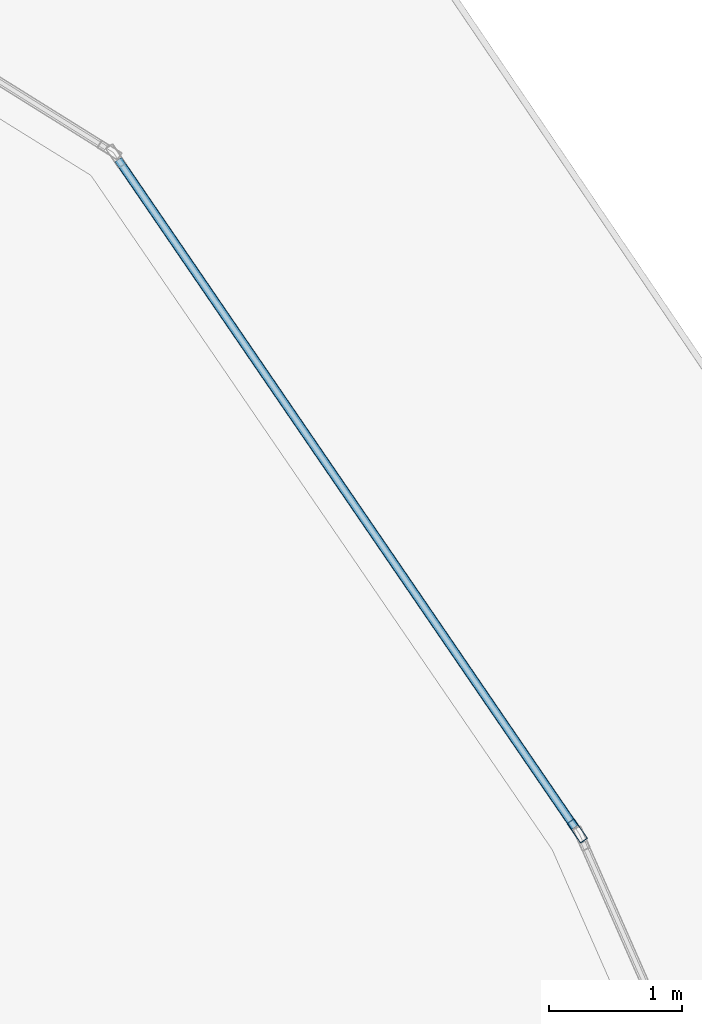
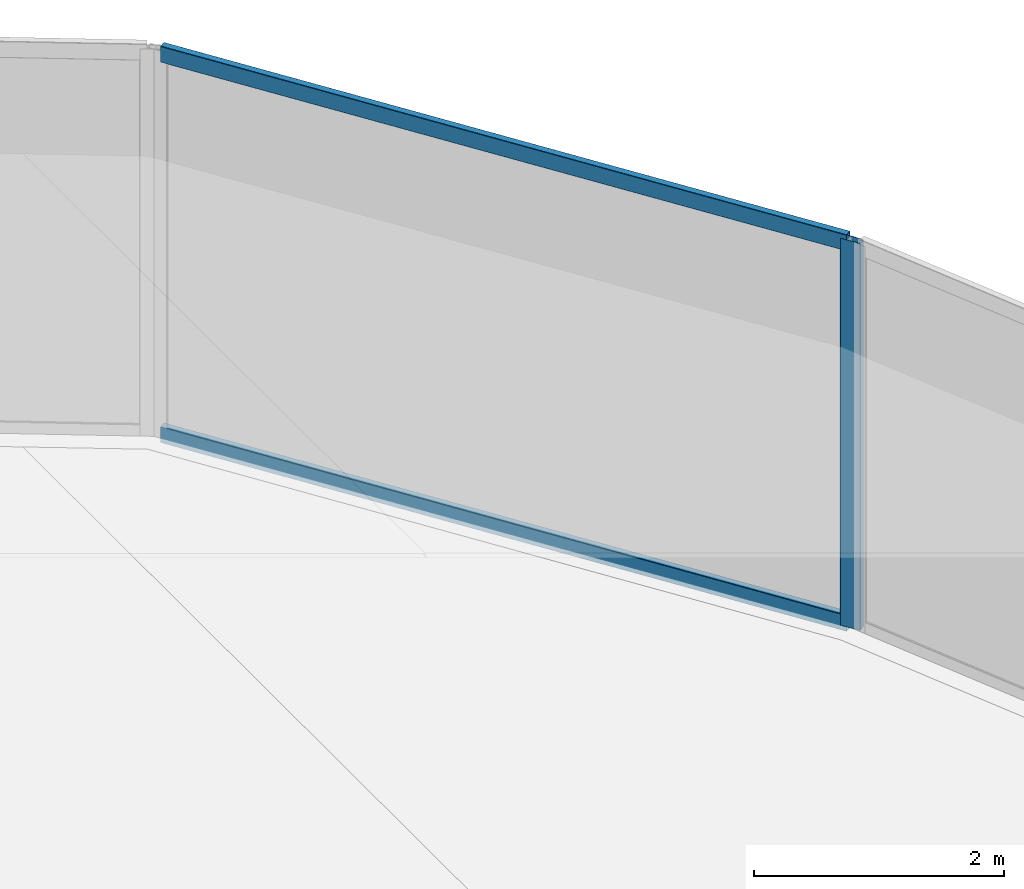
# One storey, part 21 of 36: 3 members, 1 element without a shape of its own.
"""IFC4 building model written with IfcOpenShell, lengths in metres."""

from ifc_helpers import new_model, si_unit, direction, frame, origin, origin_2d, place, context, subcontext, project, spatial, hollow_rectangle, extrude, material, layer, layer_set, material_profile, profile_set, type_object, element, aggregate, save


model = new_model("IFC4")

# Units and contexts
model_context = context("Model", 3, precision=1e-05, world=origin(), true_north=direction((0.0, 1.0)))
body_context = subcontext(model_context, "Body", "Model", "MODEL_VIEW")
ifc_project = project(units=[si_unit("LENGTHUNIT", "METRE"), si_unit("AREAUNIT", "SQUARE_METRE"), si_unit("VOLUMEUNIT", "CUBIC_METRE"), si_unit("PLANEANGLEUNIT", "RADIAN"), si_unit("MASSUNIT", "GRAM", prefix="KILO")], contexts=[model_context])

# Site, building, storey
site_placement = place(None, origin())
site = spatial("IfcSite", under=ifc_project, at=site_placement, CompositionType="ELEMENT")
building_placement = place(site_placement, origin())
building = spatial("IfcBuilding", under=site, at=building_placement, Name="Qorvath Tower", CompositionType="ELEMENT")
storey_placement = place(building_placement, frame((0.0, 0.0, 205.050048828125)))
storey = spatial("IfcBuildingStorey", under=building, at=storey_placement, Name="L47", CompositionType="ELEMENT", Elevation=205.050048828125)

# Curtain wall, members
ifc_material_1 = material(Name="Anodised aluminium and triple low-E glass", Category="aluminium")
ifc_layer = layer(ifc_material_1, 0.179931640625)
ifc_layer_set = layer_set([ifc_layer], Name="CW-SYS-3")
curtain_wall_type = type_object("IfcCurtainWallType", Name="CW-SYS-3", PredefinedType="NOTDEFINED", material=ifc_layer_set)
curtain_wall_placement = place(storey_placement, origin())
curtain_wall = element("IfcCurtainWall", 1, at=curtain_wall_placement, inside=storey, type_object=curtain_wall_type, Name="Curtain Wall CW-3 CW-T-L47-13.1", PredefinedType="NOTDEFINED")
ifc_material_2 = material(Name="Anodised aluminium 6063-T6", Category="aluminium")
ifc_material_profile_1 = material_profile(ifc_material_2, hollow_rectangle(XDim=0.06494140625, YDim=0.179931640625, WallThickness=0.00341796875, InnerFilletRadius=0.00341796875, OuterFilletRadius=0.007080078125, at=origin_2d()), Name="CWM 180x65")
ifc_profile_set_1 = profile_set([ifc_material_profile_1], Name="Anodised aluminium 6063-T6")
member_type_1 = type_object("IfcMemberType", Name="CWM-180", PredefinedType="MULLION", material=ifc_profile_set_1)
member_1_placement = place(storey_placement, frame((-2.240966796875, 16.29052734375, 0.0), z_axis=(0.0, 0.0, 1.0), x_axis=(-0.825424850974, -0.56451201528, 0.0)))
member_1 = element("IfcMember", 2, at=member_1_placement, type_object=member_type_1, Name="CW-3 mullion 1", PredefinedType="MULLION", context=body_context, shape_type="SweptSolid", body=[
    extrude(hollow_rectangle(XDim=0.06494140625, YDim=0.179931640625, WallThickness=0.00341796875, InnerFilletRadius=0.00341796875, OuterFilletRadius=0.007080078125, at=origin_2d()), origin(), (0.0, 0.0, 1.0), 3.780029296875),
])
ifc_material_3 = material(Name="Anodised aluminium 6063-T6", Category="aluminium")
ifc_material_profile_2 = material_profile(ifc_material_3, hollow_rectangle(XDim=0.06494140625, YDim=0.159912109375, WallThickness=0.00341796875, InnerFilletRadius=0.00341796875, OuterFilletRadius=0.007080078125, at=origin_2d()), Name="CWT 160x65")
ifc_profile_set_2 = profile_set([ifc_material_profile_2], Name="Anodised aluminium 6063-T6")
member_type_2 = type_object("IfcMemberType", Name="CWT-160", PredefinedType="USERDEFINED", material=ifc_profile_set_2)
member_2_placement = place(storey_placement, frame((-2.25927734375, 16.3173828125, 0.032470703125), z_axis=(-0.564540077657, 0.825405658279, 0.0), x_axis=(-0.825405658279, -0.564540077657, 0.0)))
member_2 = element("IfcMember", 3, at=member_2_placement, type_object=member_type_2, Name="CW-3 transom 1.1", ObjectType="TRANSOM", PredefinedType="USERDEFINED", context=body_context, shape_type="SweptSolid", body=[
    extrude(hollow_rectangle(XDim=0.06494140625, YDim=0.159912109375, WallThickness=0.00341796875, InnerFilletRadius=0.00341796875, OuterFilletRadius=0.007080078125, at=origin_2d()), origin(), (0.0, 0.0, 1.0), 6.085205078125),
])
member_3_placement = place(storey_placement, frame((-2.25927734375, 16.3173828125, 3.74755859375), z_axis=(-0.564540077657, 0.825405658279, 0.0), x_axis=(-0.825405658279, -0.564540077657, 0.0)))
member_3 = element("IfcMember", 4, at=member_3_placement, type_object=member_type_2, Name="CW-3 transom 1.2", ObjectType="TRANSOM", PredefinedType="USERDEFINED", context=body_context, shape_type="SweptSolid", body=[
    extrude(hollow_rectangle(XDim=0.06494140625, YDim=0.159912109375, WallThickness=0.00341796875, InnerFilletRadius=0.00341796875, OuterFilletRadius=0.007080078125, at=origin_2d()), origin(), (0.0, 0.0, 1.0), 6.085205078125),
])
aggregate(curtain_wall, [member_1, member_2, member_3])

save(model, "model.ifc")
